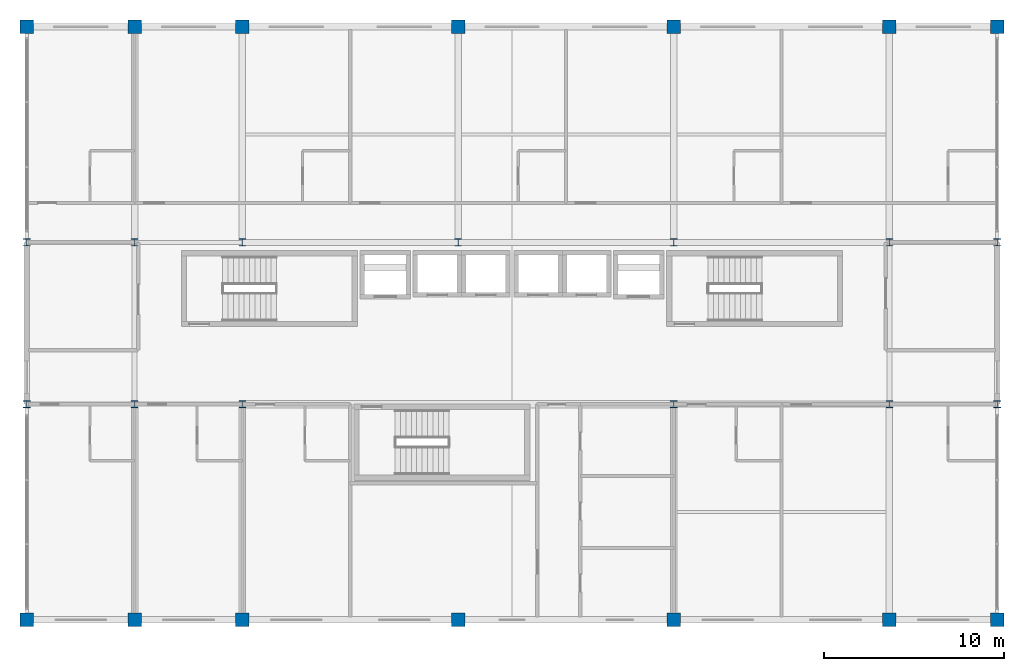
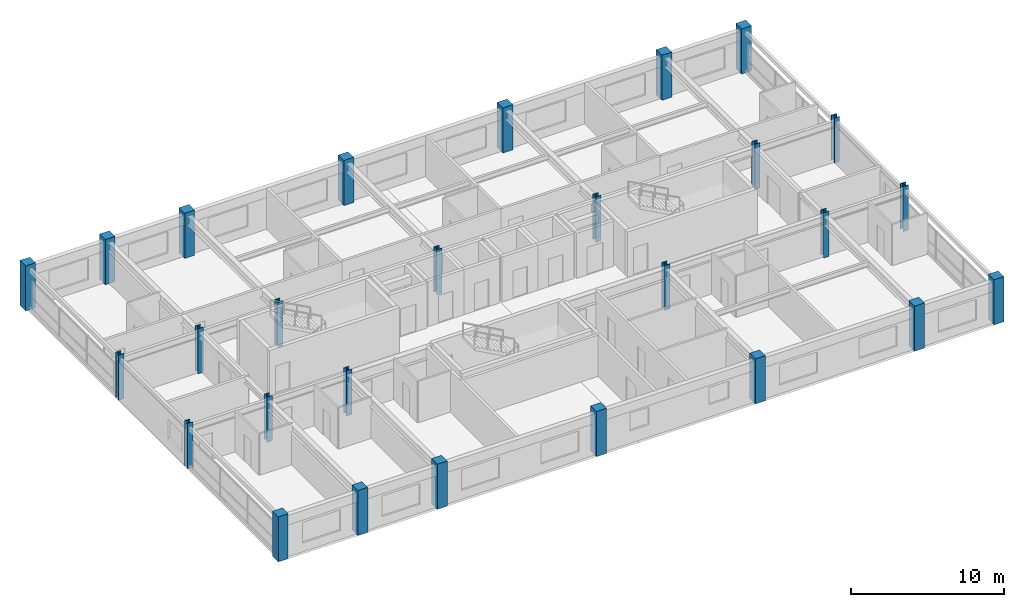
# One storey, part 1 of 20: 27 columns.
"""IFC4 building model written with IfcOpenShell, lengths in metres."""

from ifc_helpers import new_model, si_unit, direction, frame, origin, origin_2d, place, context, subcontext, project, spatial, rectangle, i_section, extrude, material, material_profile, profile_set, type_object, element, save


model = new_model("IFC4")

# Units and contexts
model_context = context("Model", 3, precision=1e-05, world=origin(), true_north=direction((0.0, 1.0)))
body_context = subcontext(model_context, "Body", "Model", "MODEL_VIEW")
ifc_project = project(units=[si_unit("LENGTHUNIT", "METRE"), si_unit("AREAUNIT", "SQUARE_METRE"), si_unit("VOLUMEUNIT", "CUBIC_METRE"), si_unit("PLANEANGLEUNIT", "RADIAN"), si_unit("MASSUNIT", "GRAM", prefix="KILO")], contexts=[model_context])

# Site, building, storey
site_placement = place(None, origin())
site = spatial("IfcSite", under=ifc_project, at=site_placement, CompositionType="ELEMENT")
building_placement = place(site_placement, origin())
building = spatial("IfcBuilding", under=site, at=building_placement, Name="Kaldorvane Square Convention Centre", CompositionType="ELEMENT")
storey_placement = place(building_placement, frame((0.0, 0.0, 56.399993896484375)))
storey = spatial("IfcBuildingStorey", under=building, at=storey_placement, Name="L13", CompositionType="ELEMENT", Elevation=56.399993896484375)

# Columns
ifc_material_1 = material(Name="Concrete f'c = 42 MPa (Normalweight)", Category="concrete")
ifc_material_profile_1 = material_profile(ifc_material_1, rectangle(XDim=0.75, YDim=0.75, at=origin_2d()), Name="RC750X750")
ifc_profile_set_1 = profile_set([ifc_material_profile_1], Name="Concrete f'c = 42 MPa (Normalweight)")
column_type_1 = type_object("IfcColumnType", Name="COL-RC-750", PredefinedType="COLUMN", material=ifc_profile_set_1)
for number, where, z_axis, x_axis, name in (
    (1, (30.0, 84.0, 0.0), (0.0, 0.0, 1.0), (1.0, 0.0, 0.0), "Column CC-05 (L13)"),
    (2, (30.0, 117.0, 0.0), (0.0, 0.0, 1.0), (1.0, 0.0, 0.0), "Column CC-05 (L13)"),
    (3, (36.0, 84.0, 0.0), (0.0, 0.0, 1.0), (1.0, 0.0, 0.0), "Column CC-05 (L13)"),
    (4, (36.0, 117.0, 0.0), (0.0, 0.0, 1.0), (1.0, 0.0, 0.0), "Column CC-05 (L13)"),
    (5, (42.0, 84.0, 0.0), (0.0, 0.0, 1.0), (1.0, 0.0, 0.0), "Column CC-05 (L13)"),
    (6, (42.0, 117.0, 0.0), (0.0, 0.0, 1.0), (1.0, 0.0, 0.0), "Column CC-05 (L13)"),
    (7, (54.0, 84.0, 0.0), (0.0, 0.0, 1.0), (1.0, 0.0, 0.0), "Column CC-05 (L13)"),
    (8, (54.0, 117.0, 0.0), (0.0, 0.0, 1.0), (1.0, 0.0, 0.0), "Column CC-05 (L13)"),
    (9, (66.0, 84.0, 0.0), (0.0, 0.0, 1.0), (1.0, 0.0, 0.0), "Column CC-05 (L13)"),
    (10, (66.0, 117.0, 0.0), (0.0, 0.0, 1.0), (1.0, 0.0, 0.0), "Column CC-05 (L13)"),
    (11, (78.0, 84.0, 0.0), (0.0, 0.0, 1.0), (1.0, 0.0, 0.0), "Column CC-05 (L13)"),
    (12, (78.0, 117.0, 0.0), (0.0, 0.0, 1.0), (1.0, 0.0, 0.0), "Column CC-05 (L13)"),
    (13, (84.0, 84.0, 0.0), (0.0, 0.0, 1.0), (1.0, 0.0, 0.0), "Column CC-05 (L13)"),
    (14, (84.0, 117.0, 0.0), (0.0, 0.0, 1.0), (1.0, 0.0, 0.0), "Column CC-05 (L13)"),
):
    element("IfcColumn", number, at=place(storey_placement, frame(where, z_axis=z_axis, x_axis=x_axis)), inside=storey, type_object=column_type_1, Name=name, PredefinedType="COLUMN", context=body_context, shape_type="SweptSolid", body=[
        extrude(rectangle(XDim=0.75, YDim=0.75, at=origin_2d()), origin(), (0.0, 0.0, 1.0), 3.600006103515625),
    ])
ifc_material_2 = material(Name="Steel ASTM A992 Gr. 50", Category="steel")
ifc_material_profile_2 = material_profile(ifc_material_2, i_section(OverallWidth=0.4062957763671875, OverallDepth=0.416107177734375, WebThickness=0.0298004150390625, FlangeThickness=0.048004150390625, FilletRadius=0.0305023193359375, at=origin_2d()), Name="W14X257")
ifc_profile_set_2 = profile_set([ifc_material_profile_2], Name="Steel ASTM A992 Gr. 50")
column_type_2 = type_object("IfcColumnType", Name="COL-STL-257", PredefinedType="COLUMN", material=ifc_profile_set_2)
for number, where, z_axis, x_axis, name in (
    (15, (30.0, 96.0, 0.0), (0.0, 0.0, 1.0), (1.0, 0.0, 0.0), "Column SC-07 (L13)"),
    (16, (30.0, 105.0, 0.0), (0.0, 0.0, 1.0), (1.0, 0.0, 0.0), "Column SC-07 (L13)"),
    (17, (36.0, 96.0, 0.0), (0.0, 0.0, 1.0), (1.0, 0.0, 0.0), "Column SC-07 (L13)"),
    (18, (36.0, 105.0, 0.0), (0.0, 0.0, 1.0), (1.0, 0.0, 0.0), "Column SC-07 (L13)"),
    (19, (42.0, 96.0, 0.0), (0.0, 0.0, 1.0), (1.0, 0.0, 0.0), "Column SC-07 (L13)"),
    (20, (42.0, 105.0, 0.0), (0.0, 0.0, 1.0), (1.0, 0.0, 0.0), "Column SC-07 (L13)"),
    (21, (54.0, 105.0, 0.0), (0.0, 0.0, 1.0), (1.0, 0.0, 0.0), "Column SC-07 (L13)"),
    (22, (66.0, 96.0, 0.0), (0.0, 0.0, 1.0), (1.0, 0.0, 0.0), "Column SC-07 (L13)"),
    (23, (66.0, 105.0, 0.0), (0.0, 0.0, 1.0), (1.0, 0.0, 0.0), "Column SC-07 (L13)"),
    (24, (78.0, 96.0, 0.0), (0.0, 0.0, 1.0), (1.0, 0.0, 0.0), "Column SC-07 (L13)"),
    (25, (78.0, 105.0, 0.0), (0.0, 0.0, 1.0), (1.0, 0.0, 0.0), "Column SC-07 (L13)"),
    (26, (84.0, 96.0, 0.0), (0.0, 0.0, 1.0), (1.0, 0.0, 0.0), "Column SC-07 (L13)"),
    (27, (84.0, 105.0, 0.0), (0.0, 0.0, 1.0), (1.0, 0.0, 0.0), "Column SC-07 (L13)"),
):
    element("IfcColumn", number, at=place(storey_placement, frame(where, z_axis=z_axis, x_axis=x_axis)), inside=storey, type_object=column_type_2, Name=name, PredefinedType="COLUMN", context=body_context, shape_type="SweptSolid", body=[
        extrude(i_section(OverallWidth=0.4062957763671875, OverallDepth=0.416107177734375, WebThickness=0.0298004150390625, FlangeThickness=0.048004150390625, FilletRadius=0.0305023193359375, at=origin_2d()), origin(), (0.0, 0.0, 1.0), 3.600006103515625),
    ])

save(model, "model.ifc")
